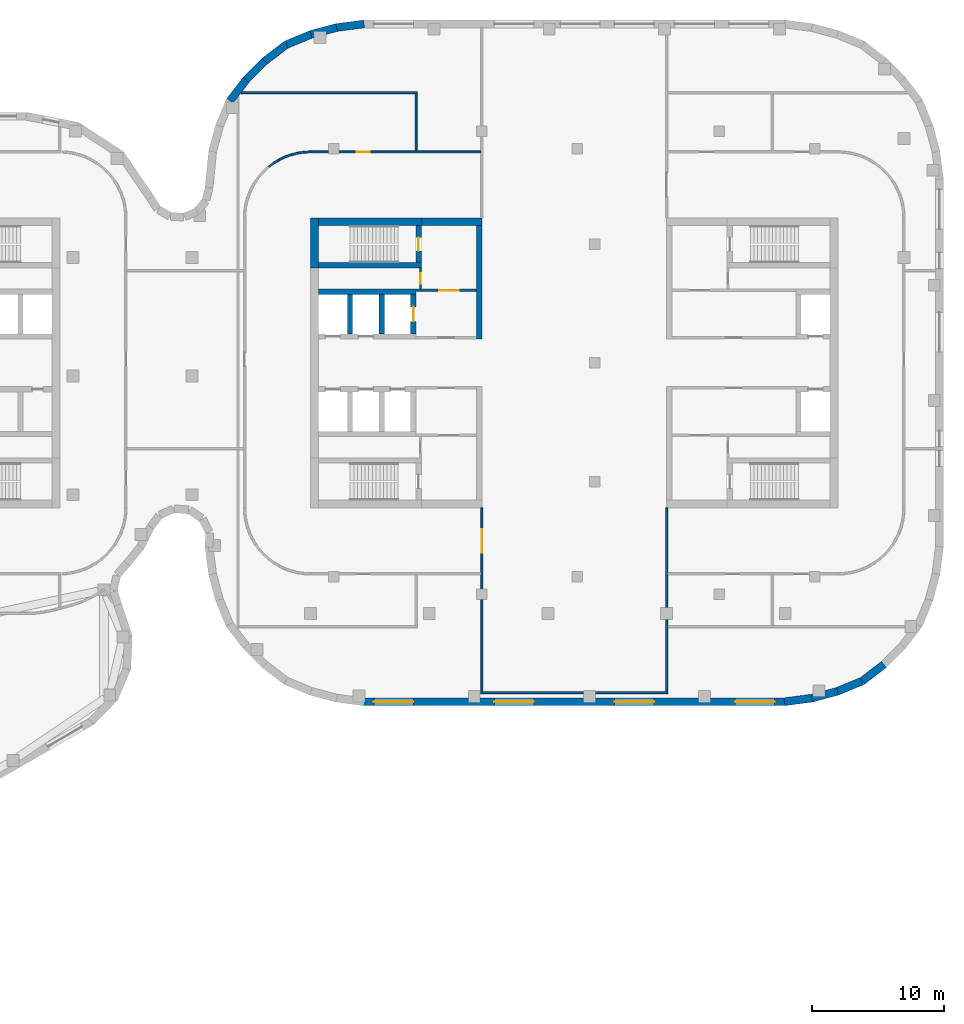
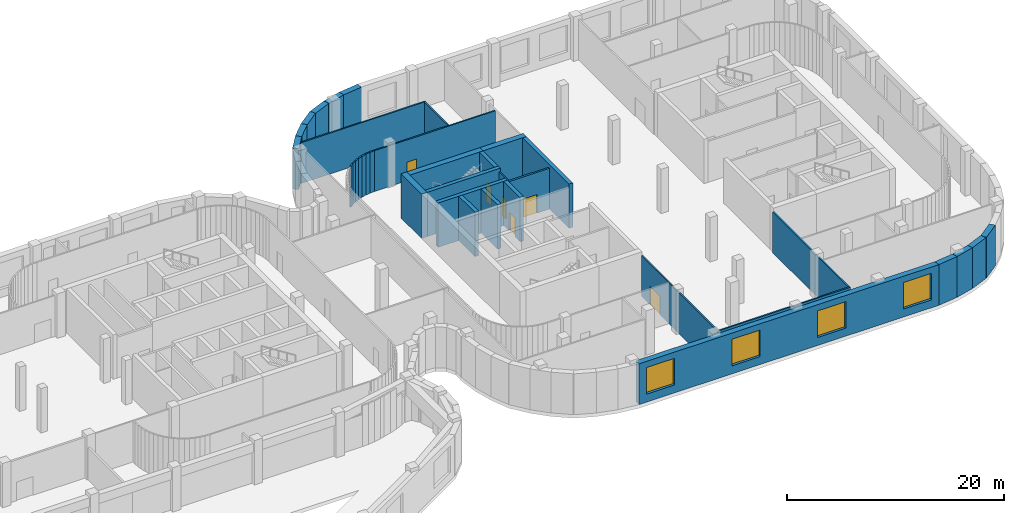
# One storey, part 14 of 20: 36 walls, 6 doors, 4 windows, 10 openings.
"""IFC4 building model written with IfcOpenShell, lengths in metres."""

from ifc_helpers import new_model, si_unit, direction, frame, frame_2d, origin, place, context, subcontext, project, spatial, rectangle, extrude, material, layer, layer_set, type_object, element, fill, save


model = new_model("IFC4")

# Units and contexts
model_context = context("Model", 3, precision=1e-05, world=origin(), true_north=direction((0.0, 1.0)))
body_context = subcontext(model_context, "Body", "Model", "MODEL_VIEW")
ifc_project = project(units=[si_unit("LENGTHUNIT", "METRE"), si_unit("AREAUNIT", "SQUARE_METRE"), si_unit("VOLUMEUNIT", "CUBIC_METRE"), si_unit("PLANEANGLEUNIT", "RADIAN"), si_unit("MASSUNIT", "GRAM", prefix="KILO")], contexts=[model_context])

# Site, building, storey
site_placement = place(None, origin())
site = spatial("IfcSite", under=ifc_project, at=site_placement, CompositionType="ELEMENT")
building_placement = place(site_placement, origin())
building = spatial("IfcBuilding", under=site, at=building_placement, Name="Skarvind Civic Tower", CompositionType="ELEMENT")
storey_placement = place(building_placement, frame((0.0, 0.0, 17.5)))
storey = spatial("IfcBuildingStorey", under=building, at=storey_placement, Name="L03", CompositionType="ELEMENT", Elevation=17.5)

# Wall, opening, door
ifc_material_1 = material(Name="Fire-rated masonry partition", Category="masonry")
ifc_layer_1 = layer(ifc_material_1, 0.199951171875)
ifc_layer_set_1 = layer_set([ifc_layer_1], Name="Core enclosure wall 200")
wall_type_1 = type_object("IfcWallType", Name="Core enclosure wall 200", PredefinedType="PARTITIONING", material=ifc_layer_set_1)
wall_1_placement = place(storey_placement, frame((135.0, 133.5, 0.0), z_axis=(0.0, 0.0, 1.0), x_axis=(1.0, 0.0, 0.0)))
wall_1 = element("IfcWall", 1, at=wall_1_placement, inside=storey, type_object=wall_type_1, Name="Core wall CA", PredefinedType="PARTITIONING", context=body_context, shape_type="SweptSolid", body=[
    extrude(rectangle(XDim=4.60009765625, YDim=0.199951171875, at=frame_2d((2.300048828125, 0.0))), origin(), (0.0, 0.0, 1.0), 4.60009765625),
])
opening_1_placement = place(wall_1_placement, frame((1.75, 0.0, 0.0)))
opening_1 = element("IfcOpeningElement", 2, at=opening_1_placement, cuts=wall_1, Name="Opening D-L03-CA-07", PredefinedType="OPENING", context=body_context, shape_type="SweptSolid", body=[
    extrude(rectangle(XDim=1.5, YDim=2.10009765625, at=frame_2d((0.75, 1.050048828125))), frame((0.0, 0.10986328125, 0.0), z_axis=(0.0, -1.0, 0.0), x_axis=(1.0, 0.0, 0.0)), (0.0, 0.0, 1.0), 0.219970703125),
])
ifc_material_2 = material(Name="Fire-rated steel door", Category="steel")
door_type_1 = type_object("IfcDoorType", Name="Fire door 1500", OperationType="NOTDEFINED", PredefinedType="DOOR", material=ifc_material_2)
door_1_placement = place(opening_1_placement, origin())
door_1 = element("IfcDoor", 3, at=door_1_placement, inside=storey, type_object=door_type_1, Name="Fire door", OperationType="DOUBLE_DOOR_SINGLE_SWING", OverallHeight=2.10009765625, OverallWidth=1.5, PredefinedType="DOOR", context=body_context, shape_type="SweptSolid", body=[
    extrude(rectangle(XDim=1.5, YDim=2.10009765625, at=frame_2d((0.75, 1.050048828125))), frame((0.0, 0.02490234375, 0.0), z_axis=(0.0, -1.0, 0.0), x_axis=(1.0, 0.0, 0.0)), (0.0, 0.0, 1.0), 0.050048828125),
])
fill(opening_1, door_1)

# Wall
ifc_material_3 = material(Name="Concrete C80", Category="concrete")
ifc_layer_2 = layer(ifc_material_3, 0.39990234375)
ifc_layer_set_2 = layer_set([ifc_layer_2], Name="Core wall 400 C80")
wall_type_2 = type_object("IfcWallType", Name="Core wall 400 C80", PredefinedType="SHEAR", material=ifc_layer_set_2)
wall_2_placement = place(storey_placement, frame((127.60009765625, 135.39990234375, 0.0), z_axis=(0.0, 0.0, 1.0), x_axis=(1.0, 0.0, 0.0)))
element("IfcWall", 4, at=wall_2_placement, inside=storey, type_object=wall_type_2, Name="Core wall CA north stair inner L03", PredefinedType="SHEAR", context=body_context, shape_type="SweptSolid", body=[
    extrude(rectangle(XDim=7.7998046875, YDim=0.39990234375, at=frame_2d((3.89990234375, 0.0))), origin(), (0.0, 0.0, 1.0), 5.0),
])

# Wall, opening, door
wall_3_placement = place(storey_placement, frame((135.199951171875, 135.60009765625, 0.0), z_axis=(0.0, 0.0, 1.0), x_axis=(0.0, 1.0, 0.0)))
wall_3 = element("IfcWall", 5, at=wall_3_placement, inside=storey, type_object=wall_type_2, Name="Core wall CA north stair end L03", PredefinedType="SHEAR", context=body_context, shape_type="SweptSolid", body=[
    extrude(rectangle(XDim=2.7998046875, YDim=0.39990234375, at=frame_2d((1.39990234375, 0.0))), origin(), (0.0, 0.0, 1.0), 5.0),
])
opening_2_placement = place(wall_3_placement, frame((0.89990234375, 0.0, 0.0)))
opening_2 = element("IfcOpeningElement", 6, at=opening_2_placement, cuts=wall_3, Name="Opening D-L03-CA-08", PredefinedType="OPENING", context=body_context, shape_type="SweptSolid", body=[
    extrude(rectangle(XDim=1.0, YDim=2.10009765625, at=frame_2d((0.5, 1.050048828125))), frame((0.0, 0.2099609375, 0.0), z_axis=(0.0, -1.0, 0.0), x_axis=(1.0, 0.0, 0.0)), (0.0, 0.0, 1.0), 0.419921875),
])
door_type_2 = type_object("IfcDoorType", Name="Fire door 1000", OperationType="NOTDEFINED", PredefinedType="DOOR", material=ifc_material_2)
door_2_placement = place(opening_2_placement, origin())
door_2 = element("IfcDoor", 7, at=door_2_placement, inside=storey, type_object=door_type_2, Name="Fire door", OperationType="SINGLE_SWING_LEFT", OverallHeight=2.10009765625, OverallWidth=1.0, PredefinedType="DOOR", context=body_context, shape_type="SweptSolid", body=[
    extrude(rectangle(XDim=1.0, YDim=2.10009765625, at=frame_2d((0.5, 1.050048828125))), frame((0.0, 0.02490234375, 0.0), z_axis=(0.0, -1.0, 0.0), x_axis=(1.0, 0.0, 0.0)), (0.0, 0.0, 1.0), 0.050048828125),
])
fill(opening_2, door_2)

# Walls
wall_4_placement = place(storey_placement, frame((127.60009765625, 133.39990234375, 0.0), z_axis=(0.0, 0.0, 1.0), x_axis=(1.0, 0.0, 0.0)))
element("IfcWall", 8, at=wall_4_placement, inside=storey, type_object=wall_type_2, Name="Core wall CA north lift row back L03", PredefinedType="SHEAR", context=body_context, shape_type="SweptSolid", body=[
    extrude(rectangle(XDim=7.39990234375, YDim=0.39990234375, at=frame_2d((3.699951171875, 0.0))), origin(), (0.0, 0.0, 1.0), 5.0),
])
for number, where, z_axis, x_axis, name in (
    (9, (130.0, 130.199951171875, 0.0), (0.0, 0.0, 1.0), (0.0, 1.0, 0.0), "Core wall CA north lift row division 1 L03"),
    (10, (132.39990234375, 130.199951171875, 0.0), (0.0, 0.0, 1.0), (0.0, 1.0, 0.0), "Core wall CA north lift row division 2 L03"),
):
    element("IfcWall", number, at=place(storey_placement, frame(where, z_axis=z_axis, x_axis=x_axis)), inside=storey, type_object=wall_type_2, Name=name, PredefinedType="SHEAR", context=body_context, shape_type="SweptSolid", body=[
        extrude(rectangle(XDim=3.0, YDim=0.39990234375, at=frame_2d((1.5, 0.0))), origin(), (0.0, 0.0, 1.0), 5.0),
    ])

# Wall, opening, door
wall_5_placement = place(storey_placement, frame((134.800048828125, 130.199951171875, 0.0), z_axis=(0.0, 0.0, 1.0), x_axis=(0.0, 1.0, 0.0)))
wall_5 = element("IfcWall", 11, at=wall_5_placement, inside=storey, type_object=wall_type_2, Name="Core wall CA north lift row division 3 L03", PredefinedType="SHEAR", context=body_context, shape_type="SweptSolid", body=[
    extrude(rectangle(XDim=3.0, YDim=0.39990234375, at=frame_2d((1.5, 0.0))), origin(), (0.0, 0.0, 1.0), 5.0),
])
opening_3_placement = place(wall_5_placement, frame((0.949951171875, 0.0, 0.0)))
opening_3 = element("IfcOpeningElement", 12, at=opening_3_placement, cuts=wall_5, Name="Opening LD05303", PredefinedType="OPENING", context=body_context, shape_type="SweptSolid", body=[
    extrude(rectangle(XDim=1.10009765625, YDim=2.10009765625, at=frame_2d((0.550048828125, 1.050048828125))), frame((0.0, 0.2099609375, 0.0), z_axis=(0.0, -1.0, 0.0), x_axis=(1.0, 0.0, 0.0)), (0.0, 0.0, 1.0), 0.419921875),
])
ifc_material_4 = material(Name="Stainless steel landing door", Category="steel")
door_type_3 = type_object("IfcDoorType", Name="Lift landing door 1100", OperationType="DOUBLE_DOOR_SLIDING", PredefinedType="DOOR", material=ifc_material_4)
door_3_placement = place(opening_3_placement, origin())
door_3 = element("IfcDoor", 13, at=door_3_placement, inside=storey, type_object=door_type_3, Name="Lift landing door", OperationType="DOUBLE_DOOR_SLIDING", OverallHeight=2.10009765625, OverallWidth=1.10009765625, PredefinedType="DOOR", context=body_context, shape_type="SweptSolid", body=[
    extrude(rectangle(XDim=1.10009765625, YDim=2.10009765625, at=frame_2d((0.550048828125, 1.050048828125))), frame((0.0, 0.02490234375, 0.0), z_axis=(0.0, -1.0, 0.0), x_axis=(1.0, 0.0, 0.0)), (0.0, 0.0, 1.0), 0.050048828125),
])
fill(opening_3, door_3)

# Walls
wall_6_placement = place(storey_placement, frame((139.800048828125, 129.800048828125, 0.0), z_axis=(0.0, 0.0, 1.0), x_axis=(0.0, 1.0, 0.0)))
element("IfcWall", 14, at=wall_6_placement, inside=storey, type_object=wall_type_2, Name="Core wall CA north inner face L03", PredefinedType="SHEAR", context=body_context, shape_type="SweptSolid", body=[
    extrude(rectangle(XDim=8.599853515625, YDim=0.39990234375, at=frame_2d((4.2998046875, 0.0))), origin(), (0.0, 0.0, 1.0), 5.0),
])
ifc_layer_3 = layer(ifc_material_3, 0.60009765625)
ifc_layer_set_3 = layer_set([ifc_layer_3], Name="Core wall 600 C80")
wall_type_3 = type_object("IfcWallType", Name="Core wall 600 C80", PredefinedType="SHEAR", material=ifc_layer_set_3)
wall_7_placement = place(storey_placement, frame((127.300048828125, 135.199951171875, 0.0), z_axis=(0.0, 0.0, 1.0), x_axis=(0.0, 1.0, 0.0)))
element("IfcWall", 15, at=wall_7_placement, inside=storey, type_object=wall_type_3, Name="Core wall CA tip at the north stair L03", PredefinedType="SHEAR", context=body_context, shape_type="SweptSolid", body=[
    extrude(rectangle(XDim=3.800048828125, YDim=0.60009765625, at=frame_2d((1.89990234375, 0.0))), origin(), (0.0, 0.0, 1.0), 5.0),
])
wall_8_placement = place(storey_placement, frame((127.60009765625, 138.699951171875, 0.0), z_axis=(0.0, 0.0, 1.0), x_axis=(1.0, 0.0, 0.0)))
element("IfcWall", 16, at=wall_8_placement, inside=storey, type_object=wall_type_3, Name="Core wall CA north side at the stair L03", PredefinedType="SHEAR", context=body_context, shape_type="SweptSolid", body=[
    extrude(rectangle(XDim=7.7998046875, YDim=0.60009765625, at=frame_2d((3.89990234375, 0.0))), origin(), (0.0, 0.0, 1.0), 5.0),
])
wall_9_placement = place(storey_placement, frame((135.39990234375, 138.699951171875, 0.0), z_axis=(0.0, 0.0, 1.0), x_axis=(1.0, 0.0, 0.0)))
element("IfcWall", 17, at=wall_9_placement, inside=storey, type_object=wall_type_3, Name="Core wall CA north side L03", PredefinedType="SHEAR", context=body_context, shape_type="SweptSolid", body=[
    extrude(rectangle(XDim=4.60009765625, YDim=0.60009765625, at=frame_2d((2.300048828125, 0.0))), origin(), (0.0, 0.0, 1.0), 5.0),
])
ifc_material_5 = material(Name="Plasterboard partition on steel studs", Category="steel")
ifc_layer_4 = layer(ifc_material_5, 0.14990234375)
ifc_layer_set_4 = layer_set([ifc_layer_4], Name="PARTITION 150")
wall_type_4 = type_object("IfcWallType", Name="PARTITION 150", PredefinedType="PARTITIONING", material=ifc_layer_set_4)
wall_10_placement = place(storey_placement, frame((121.751953125, 148.5, 0.0), z_axis=(0.0, 0.0, 1.0), x_axis=(1.0, 0.0, 0.0)))
element("IfcWall", 18, at=wall_10_placement, inside=storey, type_object=wall_type_4, Name="Podium partition L03 238", PredefinedType="PARTITIONING", context=body_context, shape_type="SweptSolid", body=[
    extrude(rectangle(XDim=13.322998046875, YDim=0.14990234375, at=frame_2d((6.66162109375, 0.0))), origin(), (0.0, 0.0, 1.0), 4.60009765625),
])
wall_11_placement = place(storey_placement, frame((123.824951171875, 142.863037109375, 0.0), z_axis=(0.0, 0.0, 1.0), x_axis=(0.80404358372, 0.594570362092, 0.0)))
element("IfcWall", 19, at=wall_11_placement, inside=storey, type_object=wall_type_4, Name="Podium partition L03 259", PredefinedType="PARTITIONING", context=body_context, shape_type="SweptSolid", body=[
    extrude(rectangle(XDim=0.49755859375, YDim=0.14990234375, at=frame_2d((0.248779296875, 0.0))), origin(), (0.0, 0.0, 1.0), 4.60009765625),
])
wall_12_placement = place(storey_placement, frame((124.218994140625, 143.155029296875, 0.0), z_axis=(0.0, 0.0, 1.0), x_axis=(0.85671397893, 0.515791778052, 0.0)))
element("IfcWall", 20, at=wall_12_placement, inside=storey, type_object=wall_type_4, Name="Podium partition L03 261", PredefinedType="PARTITIONING", context=body_context, shape_type="SweptSolid", body=[
    extrude(rectangle(XDim=0.49853515625, YDim=0.14990234375, at=frame_2d((0.249267578125, 0.0))), origin(), (0.0, 0.0, 1.0), 4.60009765625),
])
for number, where, z_axis, x_axis, name in (
    (21, (124.639892578125, 143.407958984375, 0.0), (0.0, 0.0, 1.0), (0.903827641978, 0.427896709028, 0.0), "Podium partition L03 263"),
    (22, (125.083984375, 143.617919921875, 0.0), (0.0, 0.0, 1.0), (0.941442168887, 0.3371744988, 0.0), "Podium partition L03 265"),
):
    element("IfcWall", number, at=place(storey_placement, frame(where, z_axis=z_axis, x_axis=x_axis)), inside=storey, type_object=wall_type_4, Name=name, PredefinedType="PARTITIONING", context=body_context, shape_type="SweptSolid", body=[
        extrude(rectangle(XDim=0.498046875, YDim=0.14990234375, at=frame_2d((0.2490234375, 0.0))), origin(), (0.0, 0.0, 1.0), 4.60009765625),
    ])
wall_13_placement = place(storey_placement, frame((125.544921875, 143.783935546875, 0.0), z_axis=(0.0, 0.0, 1.0), x_axis=(0.970113715952, 0.242650732785, 0.0)))
element("IfcWall", 23, at=wall_13_placement, inside=storey, type_object=wall_type_4, Name="Podium partition L03 267", PredefinedType="PARTITIONING", context=body_context, shape_type="SweptSolid", body=[
    extrude(rectangle(XDim=0.4990234375, YDim=0.14990234375, at=frame_2d((0.24951171875, 0.0))), origin(), (0.0, 0.0, 1.0), 4.60009765625),
])
wall_14_placement = place(storey_placement, frame((126.02099609375, 143.903076171875, 0.0), z_axis=(0.0, 0.0, 1.0), x_axis=(0.988925572052, 0.148412307247, 0.0)))
element("IfcWall", 24, at=wall_14_placement, inside=storey, type_object=wall_type_4, Name="Podium partition L03 269", PredefinedType="PARTITIONING", context=body_context, shape_type="SweptSolid", body=[
    extrude(rectangle(XDim=0.49853515625, YDim=0.14990234375, at=frame_2d((0.249267578125, 0.0))), origin(), (0.0, 0.0, 1.0), 4.60009765625),
])
wall_15_placement = place(storey_placement, frame((126.506103515625, 143.97607421875, 0.0), z_axis=(0.0, 0.0, 1.0), x_axis=(0.998837896651, 0.048196018647, 0.0)))
element("IfcWall", 25, at=wall_15_placement, inside=storey, type_object=wall_type_4, Name="Podium partition L03 271", PredefinedType="PARTITIONING", context=body_context, shape_type="SweptSolid", body=[
    extrude(rectangle(XDim=0.496337890625, YDim=0.14990234375, at=frame_2d((0.248046875, 0.0))), origin(), (0.0, 0.0, 1.0), 4.60009765625),
])

# Wall, opening, door
wall_16_placement = place(storey_placement, frame((126.998046875, 144.0, 0.0), z_axis=(0.0, 0.0, 1.0), x_axis=(1.0, 0.0, 0.0)))
wall_16 = element("IfcWall", 26, at=wall_16_placement, inside=storey, type_object=wall_type_4, Name="Podium partition L03 273", PredefinedType="PARTITIONING", context=body_context, shape_type="SweptSolid", body=[
    extrude(rectangle(XDim=12.927001953125, YDim=0.14990234375, at=frame_2d((6.46337890625, 0.0))), origin(), (0.0, 0.0, 1.0), 4.60009765625),
])
opening_4_placement = place(wall_16_placement, frame((3.50390625, 0.0, 0.0)))
opening_4 = element("IfcOpeningElement", 27, at=opening_4_placement, cuts=wall_16, Name="Opening L03-D235", PredefinedType="OPENING", context=body_context, shape_type="SweptSolid", body=[
    extrude(rectangle(XDim=1.0, YDim=2.10009765625, at=frame_2d((0.5, 1.050048828125))), frame((0.0, 0.0849609375, 0.0), z_axis=(0.0, -1.0, 0.0), x_axis=(1.0, 0.0, 0.0)), (0.0, 0.0, 1.0), 0.169921875),
])
ifc_material_6 = material(Name="Timber veneer door leaf", Category="wood")
door_type_4 = type_object("IfcDoorType", Name="DOOR 1000X2100 TIMBER", OperationType="NOTDEFINED", PredefinedType="DOOR", material=ifc_material_6)
door_4_placement = place(opening_4_placement, origin())
door_4 = element("IfcDoor", 28, at=door_4_placement, inside=storey, type_object=door_type_4, Name="DOOR DOOR", OperationType="SINGLE_SWING_RIGHT", OverallHeight=2.10009765625, OverallWidth=1.0, PredefinedType="DOOR", context=body_context, shape_type="SweptSolid", body=[
    extrude(rectangle(XDim=1.0, YDim=2.10009765625, at=frame_2d((0.5, 1.050048828125))), frame((0.0, 0.02490234375, 0.0), z_axis=(0.0, -1.0, 0.0), x_axis=(1.0, 0.0, 0.0)), (0.0, 0.0, 1.0), 0.050048828125),
])
fill(opening_4, door_4)

# Wall
wall_17_placement = place(storey_placement, frame((135.0, 144.074951171875, 0.0), z_axis=(0.0, 0.0, 1.0), x_axis=(0.0, 1.0, 0.0)))
element("IfcWall", 29, at=wall_17_placement, inside=storey, type_object=wall_type_4, Name="Podium partition L03 275", PredefinedType="PARTITIONING", context=body_context, shape_type="SweptSolid", body=[
    extrude(rectangle(XDim=4.35009765625, YDim=0.14990234375, at=frame_2d((2.175048828125, 0.0))), origin(), (0.0, 0.0, 1.0), 4.60009765625),
])

# Wall, opening, door
wall_18_placement = place(storey_placement, frame((140.0, 102.925048828125, 0.0), z_axis=(0.0, 0.0, 1.0), x_axis=(0.0, 1.0, 0.0)))
wall_18 = element("IfcWall", 30, at=wall_18_placement, inside=storey, type_object=wall_type_4, Name="Podium partition L03 276", PredefinedType="PARTITIONING", context=body_context, shape_type="SweptSolid", body=[
    extrude(rectangle(XDim=14.074951171875, YDim=0.14990234375, at=frame_2d((7.03759765625, 0.0))), origin(), (0.0, 0.0, 1.0), 4.60009765625),
])
opening_5_placement = place(wall_18_placement, frame((10.675048828125, 0.0, 0.0)))
opening_5 = element("IfcOpeningElement", 31, at=opening_5_placement, cuts=wall_18, Name="Opening L03-D236", PredefinedType="OPENING", context=body_context, shape_type="SweptSolid", body=[
    extrude(rectangle(XDim=1.800048828125, YDim=2.10009765625, at=frame_2d((0.89990234375, 1.050048828125))), frame((0.0, 0.0849609375, 0.0), z_axis=(0.0, -1.0, 0.0), x_axis=(1.0, 0.0, 0.0)), (0.0, 0.0, 1.0), 0.169921875),
])
door_type_5 = type_object("IfcDoorType", Name="DOOR 1800X2100 DOUBLE TIMBER", OperationType="NOTDEFINED", PredefinedType="DOOR", material=ifc_material_6)
door_5_placement = place(opening_5_placement, origin())
door_5 = element("IfcDoor", 32, at=door_5_placement, inside=storey, type_object=door_type_5, Name="DOOR DOOR", OperationType="DOUBLE_DOOR_SINGLE_SWING", OverallHeight=2.10009765625, OverallWidth=1.800048828125, PredefinedType="DOOR", context=body_context, shape_type="SweptSolid", body=[
    extrude(rectangle(XDim=1.800048828125, YDim=2.10009765625, at=frame_2d((0.89990234375, 1.050048828125))), frame((0.0, 0.02490234375, 0.0), z_axis=(0.0, -1.0, 0.0), x_axis=(1.0, 0.0, 0.0)), (0.0, 0.0, 1.0), 0.050048828125),
])
fill(opening_5, door_5)

# Walls
wall_19_placement = place(storey_placement, frame((140.074951171875, 103.0, 0.0), z_axis=(0.0, 0.0, 1.0), x_axis=(1.0, 0.0, 0.0)))
element("IfcWall", 33, at=wall_19_placement, inside=storey, type_object=wall_type_4, Name="Podium partition L03 277", PredefinedType="PARTITIONING", context=body_context, shape_type="SweptSolid", body=[
    extrude(rectangle(XDim=14.0, YDim=0.14990234375, at=frame_2d((7.0, 0.0))), origin(), (0.0, 0.0, 1.0), 4.60009765625),
])
wall_20_placement = place(storey_placement, frame((154.0, 103.074951171875, 0.0), z_axis=(0.0, 0.0, 1.0), x_axis=(0.0, 1.0, 0.0)))
element("IfcWall", 34, at=wall_20_placement, inside=storey, type_object=wall_type_4, Name="Podium partition L03 279", PredefinedType="PARTITIONING", context=body_context, shape_type="SweptSolid", body=[
    extrude(rectangle(XDim=13.925048828125, YDim=0.14990234375, at=frame_2d((6.96240234375, 0.0))), origin(), (0.0, 0.0, 1.0), 4.60009765625),
])

# Wall, opening, door
ifc_layer_5 = layer(ifc_material_1, 0.125)
ifc_layer_set_5 = layer_set([ifc_layer_5], Name="Riser wall 125")
wall_type_5 = type_object("IfcWallType", Name="Riser wall 125", PredefinedType="PARTITIONING", material=ifc_layer_set_5)
wall_21_placement = place(storey_placement, frame((135.33740234375, 135.199951171875, 0.0), z_axis=(0.0, 0.0, 1.0), x_axis=(0.0, -1.0, 0.0)))
wall_21 = element("IfcWall", 35, at=wall_21_placement, inside=storey, type_object=wall_type_5, Name="Core wall CA", PredefinedType="PARTITIONING", context=body_context, shape_type="SweptSolid", body=[
    extrude(rectangle(XDim=1.599853515625, YDim=0.125, at=frame_2d((0.7998046875, 0.0))), origin(), (0.0, 0.0, 1.0), 4.60009765625),
])
opening_6_placement = place(wall_21_placement, frame((0.39990234375, 0.0, 0.0)))
opening_6 = element("IfcOpeningElement", 36, at=opening_6_placement, cuts=wall_21, Name="Opening D-L03-CA-09", PredefinedType="OPENING", context=body_context, shape_type="SweptSolid", body=[
    extrude(rectangle(XDim=0.800048828125, YDim=2.10009765625, at=frame_2d((0.39990234375, 1.050048828125))), frame((0.0, 0.072509765625, 0.0), z_axis=(0.0, -1.0, 0.0), x_axis=(1.0, 0.0, 0.0)), (0.0, 0.0, 1.0), 0.14501953125),
])
door_type_6 = type_object("IfcDoorType", Name="Core riser door 800", OperationType="NOTDEFINED", PredefinedType="DOOR", material=ifc_material_2)
door_6_placement = place(opening_6_placement, origin())
door_6 = element("IfcDoor", 37, at=door_6_placement, inside=storey, type_object=door_type_6, Name="Riser door", OperationType="SINGLE_SWING_RIGHT", OverallHeight=2.10009765625, OverallWidth=0.800048828125, PredefinedType="DOOR", context=body_context, shape_type="SweptSolid", body=[
    extrude(rectangle(XDim=0.800048828125, YDim=2.10009765625, at=frame_2d((0.39990234375, 1.050048828125))), frame((0.0, 0.02490234375, 0.0), z_axis=(0.0, -1.0, 0.0), x_axis=(1.0, 0.0, 0.0)), (0.0, 0.0, 1.0), 0.050048828125),
])
fill(opening_6, door_6)

# Wall, openings, windows
ifc_material_7 = material(Name="Limestone masonry cladding on insulated backing", Category="masonry")
ifc_layer_6 = layer(ifc_material_7, 0.60009765625)
ifc_layer_set_6 = layer_set([ifc_layer_6], Name="WX1 STONE FACADE WALL 600")
wall_type_6 = type_object("IfcWallType", Name="WX1 STONE FACADE WALL 600", PredefinedType="SOLIDWALL", material=ifc_layer_set_6)
wall_22_placement = place(storey_placement, frame((162.978271484375, 102.300048828125, 0.0), z_axis=(0.0, 0.0, 1.0), x_axis=(-1.0, 0.0, 0.0)))
wall_22 = element("IfcWall", 38, at=wall_22_placement, inside=storey, type_object=wall_type_6, Name="STONE FACADE WALL", PredefinedType="SOLIDWALL", context=body_context, shape_type="SweptSolid", body=[
    extrude(rectangle(XDim=31.95654296875, YDim=0.60009765625, at=frame_2d((15.978271484375, 0.0))), origin(), (0.0, 0.0, 1.0), 4.60009765625),
])
opening_7_placement = place(wall_22_placement, frame((0.78271484375, 0.0, 0.89990234375)))
opening_7 = element("IfcOpeningElement", 39, at=opening_7_placement, cuts=wall_22, Name="Opening WN2", PredefinedType="OPENING", context=body_context, shape_type="SweptSolid", body=[
    extrude(rectangle(XDim=3.0, YDim=3.0, at=frame_2d((1.5, 1.5))), frame((0.0, 0.31005859375, 0.0), z_axis=(0.0, -1.0, 0.0), x_axis=(1.0, 0.0, 0.0)), (0.0, 0.0, 1.0), 0.6201171875),
])
opening_8_placement = place(wall_22_placement, frame((9.9130859375, 0.0, 0.89990234375)))
opening_8 = element("IfcOpeningElement", 40, at=opening_8_placement, cuts=wall_22, Name="Opening WN2", PredefinedType="OPENING", context=body_context, shape_type="SweptSolid", body=[
    extrude(rectangle(XDim=3.0, YDim=3.0, at=frame_2d((1.5, 1.5))), frame((0.0, 0.31005859375, 0.0), z_axis=(0.0, -1.0, 0.0), x_axis=(1.0, 0.0, 0.0)), (0.0, 0.0, 1.0), 0.6201171875),
])
opening_9_placement = place(wall_22_placement, frame((19.04345703125, 0.0, 0.89990234375)))
opening_9 = element("IfcOpeningElement", 41, at=opening_9_placement, cuts=wall_22, Name="Opening WN2", PredefinedType="OPENING", context=body_context, shape_type="SweptSolid", body=[
    extrude(rectangle(XDim=3.0, YDim=3.0, at=frame_2d((1.5, 1.5))), frame((0.0, 0.31005859375, 0.0), z_axis=(0.0, -1.0, 0.0), x_axis=(1.0, 0.0, 0.0)), (0.0, 0.0, 1.0), 0.6201171875),
])
opening_10_placement = place(wall_22_placement, frame((28.173828125, 0.0, 0.89990234375)))
opening_10 = element("IfcOpeningElement", 42, at=opening_10_placement, cuts=wall_22, Name="Opening WN2", PredefinedType="OPENING", context=body_context, shape_type="SweptSolid", body=[
    extrude(rectangle(XDim=3.0, YDim=3.0, at=frame_2d((1.5, 1.5))), frame((0.0, 0.31005859375, 0.0), z_axis=(0.0, -1.0, 0.0), x_axis=(1.0, 0.0, 0.0)), (0.0, 0.0, 1.0), 0.6201171875),
])
ifc_material_8 = material(Name="Timber frame, double glazing, timber-lined reveal", Category="wood")
window_type = type_object("IfcWindowType", Name="WN2 PODIUM STONE WINDOW 3000 x 3000", PartitioningType="SINGLE_PANEL", PredefinedType="WINDOW", material=ifc_material_8)
window_1_placement = place(opening_7_placement, origin())
window_1 = element("IfcWindow", 43, at=window_1_placement, inside=storey, type_object=window_type, Name="WN2 WINDOW", OverallHeight=3.0, OverallWidth=3.0, PartitioningType="SINGLE_PANEL", PredefinedType="WINDOW", context=body_context, shape_type="SweptSolid", body=[
    extrude(rectangle(XDim=3.0, YDim=3.0, at=frame_2d((1.5, 1.5))), frame((0.0, 0.030029296875, 0.0), z_axis=(0.0, -1.0, 0.0), x_axis=(1.0, 0.0, 0.0)), (0.0, 0.0, 1.0), 0.06005859375),
])
fill(opening_7, window_1)
window_2_placement = place(opening_8_placement, origin())
window_2 = element("IfcWindow", 44, at=window_2_placement, inside=storey, type_object=window_type, Name="WN2 WINDOW", OverallHeight=3.0, OverallWidth=3.0, PartitioningType="SINGLE_PANEL", PredefinedType="WINDOW", context=body_context, shape_type="SweptSolid", body=[
    extrude(rectangle(XDim=3.0, YDim=3.0, at=frame_2d((1.5, 1.5))), frame((0.0, 0.030029296875, 0.0), z_axis=(0.0, -1.0, 0.0), x_axis=(1.0, 0.0, 0.0)), (0.0, 0.0, 1.0), 0.06005859375),
])
fill(opening_8, window_2)
window_3_placement = place(opening_9_placement, origin())
window_3 = element("IfcWindow", 45, at=window_3_placement, inside=storey, type_object=window_type, Name="WN2 WINDOW", OverallHeight=3.0, OverallWidth=3.0, PartitioningType="SINGLE_PANEL", PredefinedType="WINDOW", context=body_context, shape_type="SweptSolid", body=[
    extrude(rectangle(XDim=3.0, YDim=3.0, at=frame_2d((1.5, 1.5))), frame((0.0, 0.030029296875, 0.0), z_axis=(0.0, -1.0, 0.0), x_axis=(1.0, 0.0, 0.0)), (0.0, 0.0, 1.0), 0.06005859375),
])
fill(opening_9, window_3)
window_4_placement = place(opening_10_placement, origin())
window_4 = element("IfcWindow", 46, at=window_4_placement, inside=storey, type_object=window_type, Name="WN2 WINDOW", OverallHeight=3.0, OverallWidth=3.0, PartitioningType="SINGLE_PANEL", PredefinedType="WINDOW", context=body_context, shape_type="SweptSolid", body=[
    extrude(rectangle(XDim=3.0, YDim=3.0, at=frame_2d((1.5, 1.5))), frame((0.0, 0.030029296875, 0.0), z_axis=(0.0, -1.0, 0.0), x_axis=(1.0, 0.0, 0.0)), (0.0, 0.0, 1.0), 0.06005859375),
])
fill(opening_10, window_4)

# Walls
wall_23_placement = place(storey_placement, frame((165.052490234375, 102.57568359375, 0.0), z_axis=(0.0, 0.0, 1.0), x_axis=(-0.991440646942, -0.130558200013, 0.0)))
element("IfcWall", 47, at=wall_23_placement, inside=storey, type_object=wall_type_6, Name="STONE FACADE WALL", PredefinedType="SOLIDWALL", context=body_context, shape_type="SweptSolid", body=[
    extrude(rectangle(XDim=2.1318359375, YDim=0.60009765625, at=frame_2d((1.06591796875, 0.0))), origin(), (0.0, 0.0, 1.0), 4.60009765625),
])
wall_24_placement = place(storey_placement, frame((166.967529296875, 103.091552734375, 0.0), z_axis=(0.0, 0.0, 1.0), x_axis=(-0.965929732323, -0.258804467146, 0.0)))
element("IfcWall", 48, at=wall_24_placement, inside=storey, type_object=wall_type_6, Name="STONE FACADE WALL", PredefinedType="SOLIDWALL", context=body_context, shape_type="SweptSolid", body=[
    extrude(rectangle(XDim=2.0224609375, YDim=0.60009765625, at=frame_2d((1.01123046875, 0.0))), origin(), (0.0, 0.0, 1.0), 4.60009765625),
])
wall_25_placement = place(storey_placement, frame((168.8193359375, 103.8603515625, 0.0), z_axis=(0.0, 0.0, 1.0), x_axis=(-0.924021197839, -0.382341242798, 0.0)))
element("IfcWall", 49, at=wall_25_placement, inside=storey, type_object=wall_type_6, Name="STONE FACADE WALL", PredefinedType="SOLIDWALL", context=body_context, shape_type="SweptSolid", body=[
    extrude(rectangle(XDim=2.0439453125, YDim=0.60009765625, at=frame_2d((1.02197265625, 0.0))), origin(), (0.0, 0.0, 1.0), 4.60009765625),
])
wall_26_placement = place(storey_placement, frame((170.49267578125, 105.135498046875, 0.0), z_axis=(0.0, 0.0, 1.0), x_axis=(-0.79313029079, -0.609052002567, 0.0)))
element("IfcWall", 50, at=wall_26_placement, inside=storey, type_object=wall_type_6, Name="STONE FACADE WALL", PredefinedType="SOLIDWALL", context=body_context, shape_type="SweptSolid", body=[
    extrude(rectangle(XDim=2.114013671875, YDim=0.60009765625, at=frame_2d((1.05712890625, 0.0))), origin(), (0.0, 0.0, 1.0), 4.60009765625),
])
wall_27_placement = place(storey_placement, frame((128.947509765625, 153.42431640625, 0.0), z_axis=(0.0, 0.0, 1.0), x_axis=(0.991440646942, 0.130558200013, 0.0)))
element("IfcWall", 51, at=wall_27_placement, inside=storey, type_object=wall_type_6, Name="STONE FACADE WALL", PredefinedType="SOLIDWALL", context=body_context, shape_type="SweptSolid", body=[
    extrude(rectangle(XDim=2.1318359375, YDim=0.60009765625, at=frame_2d((1.06591796875, 0.0))), origin(), (0.0, 0.0, 1.0), 4.60009765625),
])
wall_28_placement = place(storey_placement, frame((127.032470703125, 152.908447265625, 0.0), z_axis=(0.0, 0.0, 1.0), x_axis=(0.965929732323, 0.258804467146, 0.0)))
element("IfcWall", 52, at=wall_28_placement, inside=storey, type_object=wall_type_6, Name="STONE FACADE WALL", PredefinedType="SOLIDWALL", context=body_context, shape_type="SweptSolid", body=[
    extrude(rectangle(XDim=2.0224609375, YDim=0.60009765625, at=frame_2d((1.01123046875, 0.0))), origin(), (0.0, 0.0, 1.0), 4.60009765625),
])
wall_29_placement = place(storey_placement, frame((125.1806640625, 152.1396484375, 0.0), z_axis=(0.0, 0.0, 1.0), x_axis=(0.924021197839, 0.382341242798, 0.0)))
element("IfcWall", 53, at=wall_29_placement, inside=storey, type_object=wall_type_6, Name="STONE FACADE WALL", PredefinedType="SOLIDWALL", context=body_context, shape_type="SweptSolid", body=[
    extrude(rectangle(XDim=2.0439453125, YDim=0.60009765625, at=frame_2d((1.02197265625, 0.0))), origin(), (0.0, 0.0, 1.0), 4.60009765625),
])
wall_30_placement = place(storey_placement, frame((123.50732421875, 150.864501953125, 0.0), z_axis=(0.0, 0.0, 1.0), x_axis=(0.79313029079, 0.609052002567, 0.0)))
element("IfcWall", 54, at=wall_30_placement, inside=storey, type_object=wall_type_6, Name="STONE FACADE WALL", PredefinedType="SOLIDWALL", context=body_context, shape_type="SweptSolid", body=[
    extrude(rectangle(XDim=2.114013671875, YDim=0.60009765625, at=frame_2d((1.05712890625, 0.0))), origin(), (0.0, 0.0, 1.0), 4.60009765625),
])
wall_31_placement = place(storey_placement, frame((122.109619140625, 149.463134765625, 0.0), z_axis=(0.0, 0.0, 1.0), x_axis=(0.707106781187, 0.707106781187, 0.0)))
element("IfcWall", 55, at=wall_31_placement, inside=storey, type_object=wall_type_6, Name="STONE FACADE WALL", PredefinedType="SOLIDWALL", context=body_context, shape_type="SweptSolid", body=[
    extrude(rectangle(XDim=2.018310546875, YDim=0.60009765625, at=frame_2d((1.00927734375, 0.0))), origin(), (0.0, 0.0, 1.0), 4.60009765625),
])
wall_32_placement = place(storey_placement, frame((120.890625, 147.87158203125, 0.0), z_axis=(0.0, 0.0, 1.0), x_axis=(0.609058260448, 0.793125485267, 0.0)))
element("IfcWall", 56, at=wall_32_placement, inside=storey, type_object=wall_type_6, Name="STONE FACADE WALL", PredefinedType="SOLIDWALL", context=body_context, shape_type="SweptSolid", body=[
    extrude(rectangle(XDim=2.0439453125, YDim=0.60009765625, at=frame_2d((1.02197265625, 0.0))), origin(), (0.0, 0.0, 1.0), 4.60009765625),
])

save(model, "model.ifc")
